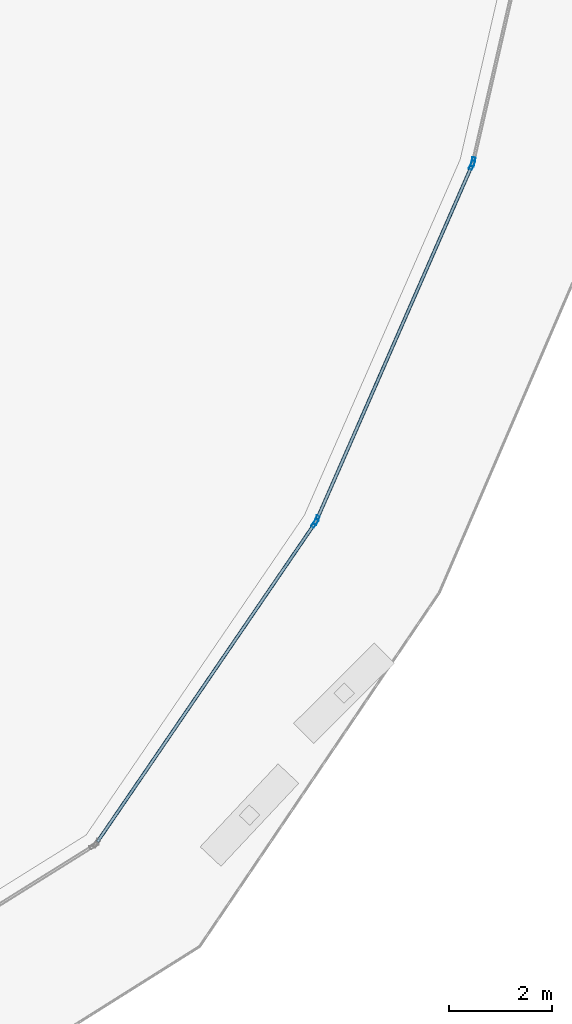
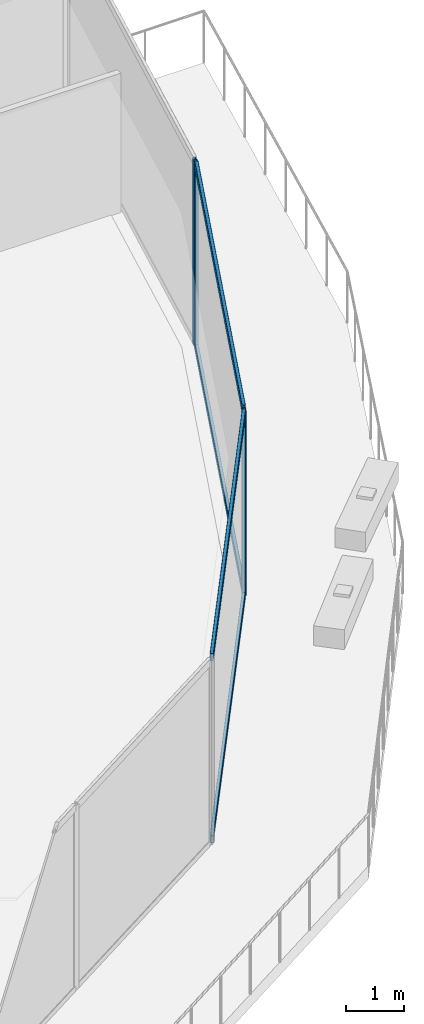
# One storey, part 23 of 42: 8 members, 3 elements without a shape of their own.
"""IFC4 building model written with IfcOpenShell, lengths in metres."""

from ifc_helpers import new_model, si_unit, direction, frame, origin, origin_2d, place, context, subcontext, project, spatial, hollow_rectangle, extrude, material, layer, layer_set, material_profile, profile_set, type_object, element, aggregate, save


model = new_model("IFC4")

# Units and contexts
model_context = context("Model", 3, precision=1e-05, world=origin(), true_north=direction((0.0, 1.0)))
body_context = subcontext(model_context, "Body", "Model", "MODEL_VIEW")
ifc_project = project(units=[si_unit("LENGTHUNIT", "METRE"), si_unit("AREAUNIT", "SQUARE_METRE"), si_unit("VOLUMEUNIT", "CUBIC_METRE"), si_unit("PLANEANGLEUNIT", "RADIAN"), si_unit("MASSUNIT", "GRAM", prefix="KILO")], contexts=[model_context])

# Site, building, storey
site_placement = place(None, origin())
site = spatial("IfcSite", under=ifc_project, at=site_placement, CompositionType="ELEMENT")
building_placement = place(site_placement, origin())
building = spatial("IfcBuilding", under=site, at=building_placement, Name="Qorvath Tower", CompositionType="ELEMENT")
storey_placement = place(building_placement, frame((0.0, 0.0, 32.39990234375)))
storey = spatial("IfcBuildingStorey", under=building, at=storey_placement, Name="L06", CompositionType="ELEMENT", Elevation=32.39990234375)

# Curtain wall, member
ifc_material_1 = material(Name="Anodised aluminium and triple low-E glass", Category="aluminium")
ifc_layer = layer(ifc_material_1, 0.179931640625)
ifc_layer_set = layer_set([ifc_layer], Name="CW-SYS-2")
curtain_wall_type = type_object("IfcCurtainWallType", Name="CW-SYS-2", PredefinedType="NOTDEFINED", material=ifc_layer_set)
curtain_wall_1_placement = place(storey_placement, origin())
curtain_wall_1 = element("IfcCurtainWall", 1, at=curtain_wall_1_placement, inside=storey, type_object=curtain_wall_type, Name="Curtain Wall CW-2 CW-T-L06-5.1", PredefinedType="NOTDEFINED")
ifc_material_2 = material(Name="Anodised aluminium 6063-T6", Category="aluminium")
ifc_material_profile_1 = material_profile(ifc_material_2, hollow_rectangle(XDim=0.06494140625, YDim=0.179931640625, WallThickness=0.00341796875, InnerFilletRadius=0.00341796875, OuterFilletRadius=0.007080078125, at=origin_2d()), Name="CWM 180x65")
ifc_profile_set_1 = profile_set([ifc_material_profile_1], Name="Anodised aluminium 6063-T6")
member_type_1 = type_object("IfcMemberType", Name="CWM-180", PredefinedType="MULLION", material=ifc_profile_set_1)
member_1_placement = place(storey_placement, frame((2.85498046875, -19.724853515625, 0.0), z_axis=(0.0, 0.0, 1.0), x_axis=(-0.825864059494, 0.563869271406, 0.0)))
member_1 = element("IfcMember", 2, at=member_1_placement, type_object=member_type_1, Name="CW-2 mullion 2", PredefinedType="MULLION", context=body_context, shape_type="SweptSolid", body=[
    extrude(hollow_rectangle(XDim=0.06494140625, YDim=0.179931640625, WallThickness=0.00341796875, InnerFilletRadius=0.00341796875, OuterFilletRadius=0.007080078125, at=origin_2d()), origin(), (0.0, 0.0, 1.0), 3.920166015625),
])

# Curtain wall, members
curtain_wall_2_placement = place(storey_placement, origin())
curtain_wall_2 = element("IfcCurtainWall", 3, at=curtain_wall_2_placement, inside=storey, type_object=curtain_wall_type, Name="Curtain Wall CW-2 CW-T-L06-6.1", PredefinedType="NOTDEFINED")
member_2_placement = place(storey_placement, frame((2.88623046875, -19.668212890625, 0.0), z_axis=(0.0, 0.0, 1.0), x_axis=(-0.91602619216, 0.401118455419, 0.0)))
member_2 = element("IfcMember", 4, at=member_2_placement, type_object=member_type_1, Name="CW-2 mullion 1", PredefinedType="MULLION", context=body_context, shape_type="SweptSolid", body=[
    extrude(hollow_rectangle(XDim=0.06494140625, YDim=0.179931640625, WallThickness=0.00341796875, InnerFilletRadius=0.00341796875, OuterFilletRadius=0.007080078125, at=origin_2d()), origin(), (0.0, 0.0, 1.0), 3.920166015625),
])
member_3_placement = place(storey_placement, frame((5.89404296875, -12.7998046875, 0.0), z_axis=(0.0, 0.0, 1.0), x_axis=(-0.91602619216, 0.401118455419, 0.0)))
member_3 = element("IfcMember", 5, at=member_3_placement, type_object=member_type_1, Name="CW-2 mullion 2", PredefinedType="MULLION", context=body_context, shape_type="SweptSolid", body=[
    extrude(hollow_rectangle(XDim=0.06494140625, YDim=0.179931640625, WallThickness=0.00341796875, InnerFilletRadius=0.00341796875, OuterFilletRadius=0.007080078125, at=origin_2d()), origin(), (0.0, 0.0, 1.0), 3.920166015625),
])

# Curtain wall, member
curtain_wall_3_placement = place(storey_placement, origin())
curtain_wall_3 = element("IfcCurtainWall", 6, at=curtain_wall_3_placement, inside=storey, type_object=curtain_wall_type, Name="Curtain Wall CW-2 CW-T-L06-7.1", PredefinedType="NOTDEFINED")
member_4_placement = place(storey_placement, frame((5.914306640625, -12.73828125, 0.0), z_axis=(0.0, 0.0, 1.0), x_axis=(-0.974480701691, 0.22447129445, 0.0)))
member_4 = element("IfcMember", 7, at=member_4_placement, type_object=member_type_1, Name="CW-2 mullion 1", PredefinedType="MULLION", context=body_context, shape_type="SweptSolid", body=[
    extrude(hollow_rectangle(XDim=0.06494140625, YDim=0.179931640625, WallThickness=0.00341796875, InnerFilletRadius=0.00341796875, OuterFilletRadius=0.007080078125, at=origin_2d()), origin(), (0.0, 0.0, 1.0), 3.920166015625),
])
aggregate(curtain_wall_3, [member_4])

# Member
ifc_material_3 = material(Name="Anodised aluminium 6063-T6", Category="aluminium")
ifc_material_profile_2 = material_profile(ifc_material_3, hollow_rectangle(XDim=0.06494140625, YDim=0.159912109375, WallThickness=0.00341796875, InnerFilletRadius=0.00341796875, OuterFilletRadius=0.007080078125, at=origin_2d()), Name="CWT 160x65")
ifc_profile_set_2 = profile_set([ifc_material_profile_2], Name="Anodised aluminium 6063-T6")
member_type_2 = type_object("IfcMemberType", Name="CWT-160", PredefinedType="USERDEFINED", material=ifc_profile_set_2)
member_5_placement = place(storey_placement, frame((-1.3544921875, -25.89013671875, 0.032470703125), z_axis=(0.563875869111, 0.825859554788, 0.0), x_axis=(-0.825859554788, 0.563875869111, 0.0)))
member_5 = element("IfcMember", 8, at=member_5_placement, type_object=member_type_2, Name="CW-2 transom 1.1", ObjectType="TRANSOM", PredefinedType="USERDEFINED", context=body_context, shape_type="SweptSolid", body=[
    extrude(hollow_rectangle(XDim=0.06494140625, YDim=0.159912109375, WallThickness=0.00341796875, InnerFilletRadius=0.00341796875, OuterFilletRadius=0.007080078125, at=origin_2d()), origin(), (0.0, 0.0, 1.0), 7.432861328125),
])

member_6_placement = place(storey_placement, frame((-1.3544921875, -25.89013671875, 3.8876953125), z_axis=(0.563875869111, 0.825859554788, 0.0), x_axis=(-0.825859554788, 0.563875869111, 0.0)))
member_6 = element("IfcMember", 9, at=member_6_placement, type_object=member_type_2, Name="CW-2 transom 1.2", ObjectType="TRANSOM", PredefinedType="USERDEFINED", context=body_context, shape_type="SweptSolid", body=[
    extrude(hollow_rectangle(XDim=0.06494140625, YDim=0.159912109375, WallThickness=0.00341796875, InnerFilletRadius=0.00341796875, OuterFilletRadius=0.007080078125, at=origin_2d()), origin(), (0.0, 0.0, 1.0), 7.432861328125),
])

aggregate(curtain_wall_1, [member_1, member_5, member_6])

member_7_placement = place(storey_placement, frame((2.8994140625, -19.638427734375, 0.032470703125), z_axis=(0.40111000853, 0.916029890919, 0.0), x_axis=(-0.916029890919, 0.40111000853, 0.0)))
member_7 = element("IfcMember", 10, at=member_7_placement, type_object=member_type_2, Name="CW-2 transom 1.1", ObjectType="TRANSOM", PredefinedType="USERDEFINED", context=body_context, shape_type="SweptSolid", body=[
    extrude(hollow_rectangle(XDim=0.06494140625, YDim=0.159912109375, WallThickness=0.00341796875, InnerFilletRadius=0.00341796875, OuterFilletRadius=0.007080078125, at=origin_2d()), origin(), (0.0, 0.0, 1.0), 7.43310546875),
])

member_8_placement = place(storey_placement, frame((2.8994140625, -19.638427734375, 3.8876953125), z_axis=(0.40111000853, 0.916029890919, 0.0), x_axis=(-0.916029890919, 0.40111000853, 0.0)))
member_8 = element("IfcMember", 11, at=member_8_placement, type_object=member_type_2, Name="CW-2 transom 1.2", ObjectType="TRANSOM", PredefinedType="USERDEFINED", context=body_context, shape_type="SweptSolid", body=[
    extrude(hollow_rectangle(XDim=0.06494140625, YDim=0.159912109375, WallThickness=0.00341796875, InnerFilletRadius=0.00341796875, OuterFilletRadius=0.007080078125, at=origin_2d()), origin(), (0.0, 0.0, 1.0), 7.43310546875),
])

aggregate(curtain_wall_2, [member_2, member_3, member_7, member_8])

save(model, "model.ifc")
